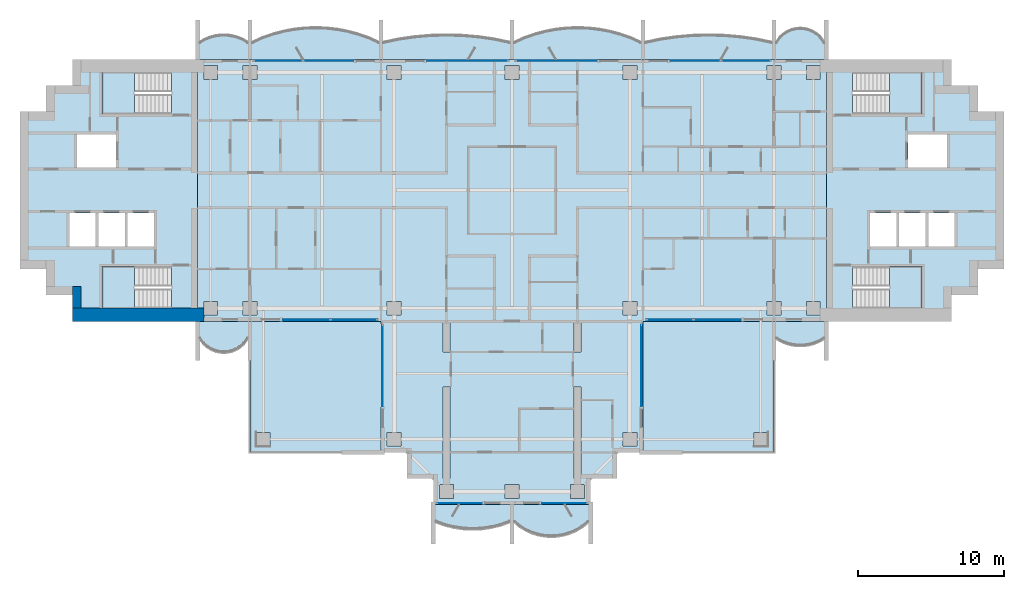
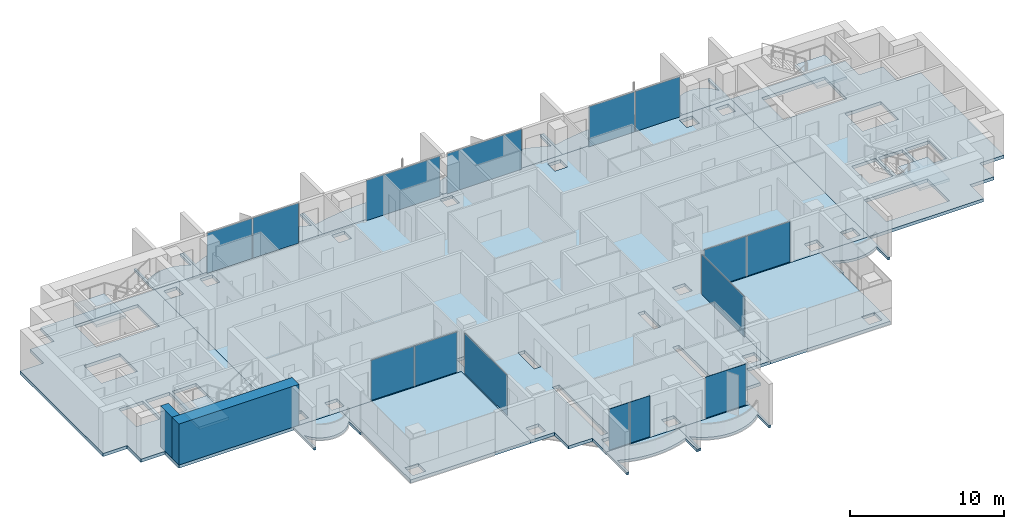
# One storey, part 7 of 18: 19 slabs, 14 plates, 2 walls, 14 elements without a shape of their own.
"""IFC4 building model written with IfcOpenShell, lengths in metres."""

from ifc_helpers import new_model, si_unit, direction, frame, frame_2d, origin, origin_2d, place, context, subcontext, project, spatial, polyline, rectangle, outline, extrude, material, layer, layer_set, type_object, element, aggregate, save


model = new_model("IFC4")

# Units and contexts
model_context = context("Model", 3, precision=1e-05, world=origin(), true_north=direction((0.0, 1.0)))
body_context = subcontext(model_context, "Body", "Model", "MODEL_VIEW")
ifc_project = project(units=[si_unit("LENGTHUNIT", "METRE"), si_unit("AREAUNIT", "SQUARE_METRE"), si_unit("VOLUMEUNIT", "CUBIC_METRE"), si_unit("PLANEANGLEUNIT", "RADIAN"), si_unit("MASSUNIT", "GRAM", prefix="KILO")], contexts=[model_context])

# Site, building, storey
site_placement = place(None, origin())
site = spatial("IfcSite", under=ifc_project, at=site_placement, CompositionType="ELEMENT")
building_placement = place(site_placement, origin())
building = spatial("IfcBuilding", under=site, at=building_placement, Name="Perihelion Cross Residences", CompositionType="ELEMENT")
storey_placement = place(building_placement, frame((0.0, 0.0, 173.60009765625)))
storey = spatial("IfcBuildingStorey", under=building, at=storey_placement, Name="L42", CompositionType="ELEMENT", Elevation=173.60009765625)

# Slabs
ifc_material_1 = material(Name="Concrete C40/50", Category="concrete")
ifc_layer_1 = layer(ifc_material_1, 0.199951171875)
ifc_layer_set_1 = layer_set([ifc_layer_1], Name="Balcony slab 200")
slab_type_1 = type_object("IfcSlabType", Name="Balcony slab 200", PredefinedType="FLOOR", material=ifc_layer_set_1)
slab_1_placement = place(storey_placement, frame((0.0, 0.0, -0.2001953125)))
element("IfcSlab", 1, at=slab_1_placement, inside=storey, type_object=slab_type_1, Name="Slab BK1 L42 east side north bay 1 balcony", PredefinedType="FLOOR", context=body_context, shape_type="SweptSolid", body=[
    extrude(outline(polyline([(21.60009765625, 9.0), (18.0, 9.0), (18.0, 11.699951171875), (18.14990234375, 11.699951171875), (18.14990234375, 10.199951171875), (18.425048828125, 10.568603515625), (18.699951171875, 10.806396484375), (18.97509765625, 10.96875), (19.25, 11.07568359375), (19.52490234375, 11.136962890625), (19.800048828125, 11.156982421875), (20.074951171875, 11.136962890625), (20.35009765625, 11.07568359375), (20.625, 10.96875), (20.89990234375, 10.806396484375), (21.175048828125, 10.568603515625), (21.449951171875, 10.199951171875), (21.449951171875, 11.699951171875), (21.60009765625, 11.699951171875), (21.60009765625, 9.0)])), origin(), (0.0, 0.0, 1.0), 0.2001953125),
])
slab_2_placement = place(storey_placement, frame((0.0, 0.0, -0.2001953125)))
element("IfcSlab", 2, at=slab_2_placement, inside=storey, type_object=slab_type_1, Name="Slab BK1 L42 east side north bay 2 balcony", PredefinedType="FLOOR", context=body_context, shape_type="SweptSolid", body=[
    extrude(outline(polyline([(18.0, 9.0), (9.0, 9.0), (9.0, 11.699951171875), (9.14990234375, 11.699951171875), (9.14990234375, 10.199951171875), (10.237548828125, 10.42041015625), (11.324951171875, 10.576171875), (12.41259765625, 10.669189453125), (13.5, 10.699951171875), (14.58740234375, 10.669189453125), (15.675048828125, 10.576171875), (16.762451171875, 10.42041015625), (17.85009765625, 10.199951171875), (17.85009765625, 11.699951171875), (18.0, 11.699951171875), (18.0, 9.0)])), origin(), (0.0, 0.0, 1.0), 0.2001953125),
])
slab_3_placement = place(storey_placement, frame((0.0, 0.0, -0.2001953125)))
element("IfcSlab", 3, at=slab_3_placement, inside=storey, type_object=slab_type_1, Name="Slab BK1 L42 north side east bay 1 balcony", PredefinedType="FLOOR", context=body_context, shape_type="SweptSolid", body=[
    extrude(outline(polyline([(9.0, 9.0), (0.0, 9.0), (0.0, 11.699951171875), (0.14990234375, 11.699951171875), (0.14990234375, 10.199951171875), (0.875, 10.51708984375), (1.60009765625, 10.7685546875), (2.324951171875, 10.959716796875), (3.050048828125, 11.093994140625), (3.77490234375, 11.173583984375), (4.5, 11.199951171875), (5.22509765625, 11.173583984375), (5.949951171875, 11.093994140625), (6.675048828125, 10.959716796875), (7.39990234375, 10.7685546875), (8.125, 10.51708984375), (8.85009765625, 10.199951171875), (8.85009765625, 11.699951171875), (9.0, 11.699951171875), (9.0, 9.0)])), origin(), (0.0, 0.0, 1.0), 0.2001953125),
])
slab_4_placement = place(storey_placement, frame((0.0, 0.0, -0.2001953125)))
element("IfcSlab", 4, at=slab_4_placement, inside=storey, type_object=slab_type_1, Name="Slab BK1 L42 north side east bay 2 balcony", PredefinedType="FLOOR", context=body_context, shape_type="SweptSolid", body=[
    extrude(outline(polyline([(0.0, 9.0), (-9.0, 9.0), (-9.0, 11.699951171875), (-8.85009765625, 11.699951171875), (-8.85009765625, 10.199951171875), (-7.762451171875, 10.42041015625), (-6.675048828125, 10.576171875), (-5.58740234375, 10.669189453125), (-4.5, 10.699951171875), (-3.41259765625, 10.669189453125), (-2.324951171875, 10.576171875), (-1.237548828125, 10.42041015625), (-0.14990234375, 10.199951171875), (-0.14990234375, 11.699951171875), (0.0, 11.699951171875), (0.0, 9.0)])), origin(), (0.0, 0.0, 1.0), 0.2001953125),
])
slab_5_placement = place(storey_placement, frame((0.0, 0.0, -0.2001953125)))
element("IfcSlab", 5, at=slab_5_placement, inside=storey, type_object=slab_type_1, Name="Slab BK1 L42 west side north bay 1 balcony", PredefinedType="FLOOR", context=body_context, shape_type="SweptSolid", body=[
    extrude(outline(polyline([(-9.0, 9.0), (-18.0, 9.0), (-18.0, 11.699951171875), (-17.85009765625, 11.699951171875), (-17.85009765625, 10.199951171875), (-17.125, 10.51708984375), (-16.39990234375, 10.7685546875), (-15.675048828125, 10.959716796875), (-14.949951171875, 11.093994140625), (-14.22509765625, 11.173583984375), (-13.5, 11.199951171875), (-12.77490234375, 11.173583984375), (-12.050048828125, 11.093994140625), (-11.324951171875, 10.959716796875), (-10.60009765625, 10.7685546875), (-9.875, 10.51708984375), (-9.14990234375, 10.199951171875), (-9.14990234375, 11.699951171875), (-9.0, 11.699951171875), (-9.0, 9.0)])), origin(), (0.0, 0.0, 1.0), 0.2001953125),
])
slab_6_placement = place(storey_placement, frame((0.0, 0.0, -0.2001953125)))
element("IfcSlab", 6, at=slab_6_placement, inside=storey, type_object=slab_type_1, Name="Slab BK1 L42 west side north bay 2 balcony", PredefinedType="FLOOR", context=body_context, shape_type="SweptSolid", body=[
    extrude(outline(polyline([(-18.0, 9.0), (-21.60009765625, 9.0), (-21.60009765625, 11.699951171875), (-21.449951171875, 11.699951171875), (-21.449951171875, 10.199951171875), (-21.083251953125, 10.40869140625), (-20.716552734375, 10.55517578125), (-20.35009765625, 10.648681640625), (-19.9833984375, 10.6943359375), (-19.61669921875, 10.6943359375), (-19.25, 10.648681640625), (-18.88330078125, 10.55517578125), (-18.5166015625, 10.40869140625), (-18.14990234375, 10.199951171875), (-18.14990234375, 11.699951171875), (-18.0, 11.699951171875), (-18.0, 9.0)])), origin(), (0.0, 0.0, 1.0), 0.2001953125),
])
slab_7_placement = place(storey_placement, frame((0.0, 0.0, -0.2001953125)))
element("IfcSlab", 7, at=slab_7_placement, inside=storey, type_object=slab_type_1, Name="Slab BK1 L42 west side south bay 1 balcony", PredefinedType="FLOOR", context=body_context, shape_type="SweptSolid", body=[
    extrude(outline(polyline([(-21.60009765625, -9.0), (-18.0, -9.0), (-18.0, -11.699951171875), (-18.14990234375, -11.699951171875), (-18.14990234375, -10.199951171875), (-18.425048828125, -10.568603515625), (-18.699951171875, -10.806396484375), (-18.97509765625, -10.96875), (-19.25, -11.07568359375), (-19.52490234375, -11.136962890625), (-19.800048828125, -11.156982421875), (-20.074951171875, -11.136962890625), (-20.35009765625, -11.07568359375), (-20.625, -10.96875), (-20.89990234375, -10.806396484375), (-21.175048828125, -10.568603515625), (-21.449951171875, -10.199951171875), (-21.449951171875, -11.699951171875), (-21.60009765625, -11.699951171875), (-21.60009765625, -9.0)])), origin(), (0.0, 0.0, 1.0), 0.2001953125),
])
slab_8_placement = place(storey_placement, frame((0.0, 0.0, -0.2001953125)))
element("IfcSlab", 8, at=slab_8_placement, inside=storey, type_object=slab_type_1, Name="Slab BK1 L42 south tip south bay 1 balcony", PredefinedType="FLOOR", context=body_context, shape_type="SweptSolid", body=[
    extrude(outline(polyline([(-5.39990234375, -21.60009765625), (0.0, -21.60009765625), (0.0, -24.300048828125), (-0.14990234375, -24.300048828125), (-0.14990234375, -22.800048828125), (-0.78759765625, -23.0234375), (-1.425048828125, -23.178466796875), (-2.0625, -23.269775390625), (-2.699951171875, -23.300048828125), (-3.33740234375, -23.269775390625), (-3.97509765625, -23.178466796875), (-4.612548828125, -23.0234375), (-5.25, -22.800048828125), (-5.25, -24.300048828125), (-5.39990234375, -24.300048828125), (-5.39990234375, -21.60009765625)])), origin(), (0.0, 0.0, 1.0), 0.2001953125),
])
slab_9_placement = place(storey_placement, frame((0.0, 0.0, -0.2001953125)))
element("IfcSlab", 9, at=slab_9_placement, inside=storey, type_object=slab_type_1, Name="Slab BK1 L42 south tip south bay 2 balcony", PredefinedType="FLOOR", context=body_context, shape_type="SweptSolid", body=[
    extrude(outline(polyline([(0.0, -21.60009765625), (5.39990234375, -21.60009765625), (5.39990234375, -24.300048828125), (5.25, -24.300048828125), (5.25, -22.800048828125), (4.824951171875, -23.14013671875), (4.39990234375, -23.392578125), (3.97509765625, -23.57666015625), (3.550048828125, -23.702392578125), (3.125, -23.77587890625), (2.699951171875, -23.800048828125), (2.27490234375, -23.77587890625), (1.85009765625, -23.702392578125), (1.425048828125, -23.57666015625), (1.0, -23.392578125), (0.574951171875, -23.14013671875), (0.14990234375, -22.800048828125), (0.14990234375, -24.300048828125), (0.0, -24.300048828125), (0.0, -21.60009765625)])), origin(), (0.0, 0.0, 1.0), 0.2001953125),
])
slab_10_placement = place(storey_placement, frame((0.0, 0.0, -0.2001953125)))
element("IfcSlab", 10, at=slab_10_placement, inside=storey, type_object=slab_type_1, Name="Slab BK1 L42 east side south bay 2 balcony", PredefinedType="FLOOR", context=body_context, shape_type="SweptSolid", body=[
    extrude(outline(polyline([(18.0, -9.0), (21.60009765625, -9.0), (21.60009765625, -11.699951171875), (21.449951171875, -11.699951171875), (21.449951171875, -10.199951171875), (21.083251953125, -10.40869140625), (20.716552734375, -10.55517578125), (20.35009765625, -10.648681640625), (19.9833984375, -10.6943359375), (19.61669921875, -10.6943359375), (19.25, -10.648681640625), (18.88330078125, -10.55517578125), (18.5166015625, -10.40869140625), (18.14990234375, -10.199951171875), (18.14990234375, -11.699951171875), (18.0, -11.699951171875), (18.0, -9.0)])), origin(), (0.0, 0.0, 1.0), 0.2001953125),
])

# Curtain wall, plates
ifc_material_2 = material(Name="Bronze anodised aluminium, tinted glazing", Category="aluminium")
curtain_wall_type = type_object("IfcCurtainWallType", Name="CW1", PredefinedType="NOTDEFINED", material=ifc_material_2)
curtain_wall_1_placement = place(storey_placement, origin())
curtain_wall_1 = element("IfcCurtainWall", 11, at=curtain_wall_1_placement, inside=storey, type_object=curtain_wall_type, Name="Curtain wall CW1 L42 east side north bay 2", PredefinedType="NOTDEFINED")
ifc_material_3 = material(Name="Tinted laminated glass", Category="glass")
ifc_layer_2 = layer(ifc_material_3, 0.028076171875)
ifc_layer_set_2 = layer_set([ifc_layer_2], Name="CW1 panel")
plate_type = type_object("IfcPlateType", Name="CW1 panel", PredefinedType="CURTAIN_PANEL", material=ifc_layer_set_2)
plate_1_placement = place(storey_placement, frame((16.06005859375, 8.89990234375, 0.0), z_axis=(0.0, 0.0, 1.0), x_axis=(-1.0, 0.0, 0.0)))
plate_1 = element("IfcPlate", 12, at=plate_1_placement, type_object=plate_type, Name="CW1 panel 1", PredefinedType="CURTAIN_PANEL", context=body_context, shape_type="SweptSolid", body=[
    extrude(rectangle(XDim=3.360107421875, YDim=0.028076171875, at=origin_2d()), origin(), (0.0, 0.0, 1.0), 3.18994140625),
])
plate_2_placement = place(storey_placement, frame((12.610107421875, 8.89990234375, 0.0), z_axis=(0.0, 0.0, 1.0), x_axis=(-1.0, 0.0, 0.0)))
plate_2 = element("IfcPlate", 13, at=plate_2_placement, type_object=plate_type, Name="CW1 panel 2", PredefinedType="CURTAIN_PANEL", context=body_context, shape_type="SweptSolid", body=[
    extrude(rectangle(XDim=3.419921875, YDim=0.028076171875, at=origin_2d()), origin(), (0.0, 0.0, 1.0), 3.18994140625),
])
aggregate(curtain_wall_1, [plate_1, plate_2])

# Curtain wall, plate
curtain_wall_2_placement = place(storey_placement, origin())
curtain_wall_2 = element("IfcCurtainWall", 14, at=curtain_wall_2_placement, inside=storey, type_object=curtain_wall_type, Name="Curtain wall CW1 L42 north side east bay 1", PredefinedType="NOTDEFINED")
plate_3_placement = place(storey_placement, frame((3.04248046875, 8.89990234375, 0.0), z_axis=(0.0, 0.0, 1.0), x_axis=(-1.0, 0.0, 0.0)))
plate_3 = element("IfcPlate", 15, at=plate_3_placement, type_object=plate_type, Name="CW1 panel 1", PredefinedType="CURTAIN_PANEL", context=body_context, shape_type="SweptSolid", body=[
    extrude(rectangle(XDim=5.56494140625, YDim=0.028076171875, at=origin_2d()), origin(), (0.0, 0.0, 1.0), 3.18994140625),
])
aggregate(curtain_wall_2, [plate_3])

curtain_wall_3_placement = place(storey_placement, origin())
curtain_wall_3 = element("IfcCurtainWall", 16, at=curtain_wall_3_placement, inside=storey, type_object=curtain_wall_type, Name="Curtain wall CW1 L42 north side east bay 2", PredefinedType="NOTDEFINED")
plate_4_placement = place(storey_placement, frame((-3.04248046875, 8.89990234375, 0.0), z_axis=(0.0, 0.0, 1.0), x_axis=(-1.0, 0.0, 0.0)))
plate_4 = element("IfcPlate", 17, at=plate_4_placement, type_object=plate_type, Name="CW1 panel 1", PredefinedType="CURTAIN_PANEL", context=body_context, shape_type="SweptSolid", body=[
    extrude(rectangle(XDim=5.56494140625, YDim=0.028076171875, at=origin_2d()), origin(), (0.0, 0.0, 1.0), 3.18994140625),
])
aggregate(curtain_wall_3, [plate_4])

# Curtain wall, plates
curtain_wall_4_placement = place(storey_placement, origin())
curtain_wall_4 = element("IfcCurtainWall", 18, at=curtain_wall_4_placement, inside=storey, type_object=curtain_wall_type, Name="Curtain wall CW1 L42 west side north bay 1", PredefinedType="NOTDEFINED")
plate_5_placement = place(storey_placement, frame((-12.610107421875, 8.89990234375, 0.0), z_axis=(0.0, 0.0, 1.0), x_axis=(-1.0, 0.0, 0.0)))
plate_5 = element("IfcPlate", 19, at=plate_5_placement, type_object=plate_type, Name="CW1 panel 1", PredefinedType="CURTAIN_PANEL", context=body_context, shape_type="SweptSolid", body=[
    extrude(rectangle(XDim=3.419921875, YDim=0.028076171875, at=origin_2d()), origin(), (0.0, 0.0, 1.0), 3.18994140625),
])
plate_6_placement = place(storey_placement, frame((-16.06005859375, 8.89990234375, 0.0), z_axis=(0.0, 0.0, 1.0), x_axis=(-1.0, 0.0, 0.0)))
plate_6 = element("IfcPlate", 20, at=plate_6_placement, type_object=plate_type, Name="CW1 panel 2", PredefinedType="CURTAIN_PANEL", context=body_context, shape_type="SweptSolid", body=[
    extrude(rectangle(XDim=3.360107421875, YDim=0.028076171875, at=origin_2d()), origin(), (0.0, 0.0, 1.0), 3.18994140625),
])
aggregate(curtain_wall_4, [plate_5, plate_6])

curtain_wall_5_placement = place(storey_placement, origin())
curtain_wall_5 = element("IfcCurtainWall", 21, at=curtain_wall_5_placement, inside=storey, type_object=curtain_wall_type, Name="Curtain wall CW1 L42 west side south bay 2", PredefinedType="NOTDEFINED")
plate_7_placement = place(storey_placement, frame((-14.108642578125, -8.89990234375, 0.0), z_axis=(0.0, 0.0, 1.0), x_axis=(1.0, 0.0, 0.0)))
plate_7 = element("IfcPlate", 22, at=plate_7_placement, type_object=plate_type, Name="CW1 panel 1", PredefinedType="CURTAIN_PANEL", context=body_context, shape_type="SweptSolid", body=[
    extrude(rectangle(XDim=3.232421875, YDim=0.028076171875, at=origin_2d()), origin(), (0.0, 0.0, 1.0), 3.18994140625),
])
plate_8_placement = place(storey_placement, frame((-10.84619140625, -8.89990234375, 0.0), z_axis=(0.0, 0.0, 1.0), x_axis=(1.0, 0.0, 0.0)))
plate_8 = element("IfcPlate", 23, at=plate_8_placement, type_object=plate_type, Name="CW1 panel 2", PredefinedType="CURTAIN_PANEL", context=body_context, shape_type="SweptSolid", body=[
    extrude(rectangle(XDim=3.172607421875, YDim=0.028076171875, at=origin_2d()), origin(), (0.0, 0.0, 1.0), 3.18994140625),
])
aggregate(curtain_wall_5, [plate_7, plate_8])

# Curtain wall, plate
curtain_wall_6_placement = place(storey_placement, origin())
curtain_wall_6 = element("IfcCurtainWall", 24, at=curtain_wall_6_placement, inside=storey, type_object=curtain_wall_type, Name="Curtain wall CW1 L42 south side west bay 1", PredefinedType="NOTDEFINED")
plate_9_placement = place(storey_placement, frame((-8.89990234375, -12.04248046875, 0.0), z_axis=(0.0, 0.0, 1.0), x_axis=(0.0, -1.0, 0.0)))
plate_9 = element("IfcPlate", 25, at=plate_9_placement, type_object=plate_type, Name="CW1 panel 1", PredefinedType="CURTAIN_PANEL", context=body_context, shape_type="SweptSolid", body=[
    extrude(rectangle(XDim=5.56494140625, YDim=0.028076171875, at=origin_2d()), origin(), (0.0, 0.0, 1.0), 3.18994140625),
])
aggregate(curtain_wall_6, [plate_9])

curtain_wall_7_placement = place(storey_placement, origin())
curtain_wall_7 = element("IfcCurtainWall", 26, at=curtain_wall_7_placement, inside=storey, type_object=curtain_wall_type, Name="Curtain wall CW1 L42 south tip south bay 1", PredefinedType="NOTDEFINED")
plate_10_placement = place(storey_placement, frame((-3.607421875, -21.5, 0.0), z_axis=(0.0, 0.0, 1.0), x_axis=(1.0, 0.0, 0.0)))
plate_10 = element("IfcPlate", 27, at=plate_10_placement, type_object=plate_type, Name="CW1 panel 1", PredefinedType="CURTAIN_PANEL", context=body_context, shape_type="SweptSolid", body=[
    extrude(rectangle(XDim=3.06494140625, YDim=0.028076171875, at=origin_2d()), origin(), (0.0, 0.0, 1.0), 3.25),
])
aggregate(curtain_wall_7, [plate_10])

curtain_wall_8_placement = place(storey_placement, origin())
curtain_wall_8 = element("IfcCurtainWall", 28, at=curtain_wall_8_placement, inside=storey, type_object=curtain_wall_type, Name="Curtain wall CW1 L42 south tip south bay 2", PredefinedType="NOTDEFINED")
plate_11_placement = place(storey_placement, frame((3.607421875, -21.5, 0.0), z_axis=(0.0, 0.0, 1.0), x_axis=(1.0, 0.0, 0.0)))
plate_11 = element("IfcPlate", 29, at=plate_11_placement, type_object=plate_type, Name="CW1 panel 1", PredefinedType="CURTAIN_PANEL", context=body_context, shape_type="SweptSolid", body=[
    extrude(rectangle(XDim=3.06494140625, YDim=0.028076171875, at=origin_2d()), origin(), (0.0, 0.0, 1.0), 3.25),
])
aggregate(curtain_wall_8, [plate_11])

curtain_wall_9_placement = place(storey_placement, origin())
curtain_wall_9 = element("IfcCurtainWall", 30, at=curtain_wall_9_placement, inside=storey, type_object=curtain_wall_type, Name="Curtain wall CW1 L42 south side east bay 1", PredefinedType="NOTDEFINED")
plate_12_placement = place(storey_placement, frame((8.89990234375, -12.04248046875, 0.0), z_axis=(0.0, 0.0, 1.0), x_axis=(0.0, 1.0, 0.0)))
plate_12 = element("IfcPlate", 31, at=plate_12_placement, type_object=plate_type, Name="CW1 panel 1", PredefinedType="CURTAIN_PANEL", context=body_context, shape_type="SweptSolid", body=[
    extrude(rectangle(XDim=5.56494140625, YDim=0.028076171875, at=origin_2d()), origin(), (0.0, 0.0, 1.0), 3.18994140625),
])
aggregate(curtain_wall_9, [plate_12])

# Curtain wall, plates
curtain_wall_10_placement = place(storey_placement, origin())
curtain_wall_10 = element("IfcCurtainWall", 32, at=curtain_wall_10_placement, inside=storey, type_object=curtain_wall_type, Name="Curtain wall CW1 L42 east side south bay 1", PredefinedType="NOTDEFINED")
plate_13_placement = place(storey_placement, frame((10.84619140625, -8.89990234375, 0.0), z_axis=(0.0, 0.0, 1.0), x_axis=(1.0, 0.0, 0.0)))
plate_13 = element("IfcPlate", 33, at=plate_13_placement, type_object=plate_type, Name="CW1 panel 1", PredefinedType="CURTAIN_PANEL", context=body_context, shape_type="SweptSolid", body=[
    extrude(rectangle(XDim=3.172607421875, YDim=0.028076171875, at=origin_2d()), origin(), (0.0, 0.0, 1.0), 3.18994140625),
])
plate_14_placement = place(storey_placement, frame((14.108642578125, -8.89990234375, 0.0), z_axis=(0.0, 0.0, 1.0), x_axis=(1.0, 0.0, 0.0)))
plate_14 = element("IfcPlate", 34, at=plate_14_placement, type_object=plate_type, Name="CW1 panel 2", PredefinedType="CURTAIN_PANEL", context=body_context, shape_type="SweptSolid", body=[
    extrude(rectangle(XDim=3.232421875, YDim=0.028076171875, at=origin_2d()), origin(), (0.0, 0.0, 1.0), 3.18994140625),
])
aggregate(curtain_wall_10, [plate_13, plate_14])

# Slabs
ifc_material_4 = material(Name="Concrete C40/50", Category="concrete")
ifc_layer_3 = layer(ifc_material_4, 0.25)
ifc_layer_set_3 = layer_set([ifc_layer_3], Name="Core floor slab 250")
slab_type_2 = type_object("IfcSlabType", Name="Core floor slab 250", PredefinedType="FLOOR", material=ifc_layer_set_3)
slab_11_placement = place(storey_placement, frame((0.0, 0.0, -0.25)))
element("IfcSlab", 35, at=slab_11_placement, inside=storey, type_object=slab_type_2, Name="East core floor slab", PredefinedType="FLOOR", context=body_context, shape_type="SweptSolid", body=[
    extrude(outline(polyline([(30.199951171875, 7.199951171875), (32.0, 7.199951171875), (32.0, 5.39990234375), (33.800048828125, 5.39990234375), (33.800048828125, -5.39990234375), (32.0, -5.39990234375), (32.0, -7.199951171875), (30.199951171875, -7.199951171875), (30.199951171875, -9.0), (21.60009765625, -9.0), (21.60009765625, 9.0), (30.199951171875, 9.0), (30.199951171875, 7.199951171875)]), holes=[polyline([(28.14990234375, -8.10009765625), (28.14990234375, -5.25), (23.405029296875, -5.25), (23.405029296875, -8.10009765625), (28.14990234375, -8.10009765625)]), polyline([(24.60009765625, -1.550048828125), (24.60009765625, -3.85009765625), (26.39990234375, -3.85009765625), (26.39990234375, -1.550048828125), (24.60009765625, -1.550048828125)]), polyline([(26.60009765625, -1.550048828125), (26.60009765625, -3.85009765625), (28.39990234375, -3.85009765625), (28.39990234375, -1.550048828125), (26.60009765625, -1.550048828125)]), polyline([(28.60009765625, -3.85009765625), (30.39990234375, -3.85009765625), (30.39990234375, -1.550048828125), (28.60009765625, -1.550048828125), (28.60009765625, -3.85009765625)]), polyline([(27.199951171875, 3.85009765625), (27.199951171875, 1.550048828125), (29.89990234375, 1.550048828125), (29.89990234375, 3.85009765625), (27.199951171875, 3.85009765625)]), polyline([(23.405029296875, 5.25), (28.14990234375, 5.25), (28.14990234375, 8.10009765625), (23.405029296875, 8.10009765625), (23.405029296875, 5.25)])]), origin(), (0.0, 0.0, 1.0), 0.25),
])
slab_12_placement = place(storey_placement, frame((0.0, 0.0, -0.25)))
element("IfcSlab", 36, at=slab_12_placement, inside=storey, type_object=slab_type_2, Name="West core floor slab", PredefinedType="FLOOR", context=body_context, shape_type="SweptSolid", body=[
    extrude(outline(polyline([(-30.199951171875, 7.199951171875), (-32.0, 7.199951171875), (-32.0, 5.39990234375), (-33.800048828125, 5.39990234375), (-33.800048828125, -5.39990234375), (-32.0, -5.39990234375), (-32.0, -7.199951171875), (-30.199951171875, -7.199951171875), (-30.199951171875, -9.0), (-21.60009765625, -9.0), (-21.60009765625, 9.0), (-30.199951171875, 9.0), (-30.199951171875, 7.199951171875)]), holes=[polyline([(-28.14990234375, -8.10009765625), (-28.14990234375, -5.25), (-23.405029296875, -5.25), (-23.405029296875, -8.10009765625), (-28.14990234375, -8.10009765625)]), polyline([(-24.60009765625, -1.550048828125), (-24.60009765625, -3.85009765625), (-26.39990234375, -3.85009765625), (-26.39990234375, -1.550048828125), (-24.60009765625, -1.550048828125)]), polyline([(-26.60009765625, -1.550048828125), (-26.60009765625, -3.85009765625), (-28.39990234375, -3.85009765625), (-28.39990234375, -1.550048828125), (-26.60009765625, -1.550048828125)]), polyline([(-28.60009765625, -3.85009765625), (-30.39990234375, -3.85009765625), (-30.39990234375, -1.550048828125), (-28.60009765625, -1.550048828125), (-28.60009765625, -3.85009765625)]), polyline([(-27.199951171875, 3.85009765625), (-27.199951171875, 1.550048828125), (-29.89990234375, 1.550048828125), (-29.89990234375, 3.85009765625), (-27.199951171875, 3.85009765625)]), polyline([(-23.405029296875, 5.25), (-28.14990234375, 5.25), (-28.14990234375, 8.10009765625), (-23.405029296875, 8.10009765625), (-23.405029296875, 5.25)])]), origin(), (0.0, 0.0, 1.0), 0.25),
])
ifc_material_5 = material(Name="Concrete C40/50", Category="concrete")
ifc_layer_4 = layer(ifc_material_5, 0.25)
ifc_layer_set_4 = layer_set([ifc_layer_4], Name="Corner terrace slab")
slab_type_3 = type_object("IfcSlabType", Name="Corner terrace slab", PredefinedType="FLOOR", material=ifc_layer_set_4)
slab_13_placement = place(storey_placement, frame((0.0, 0.0, -0.25)))
element("IfcSlab", 37, at=slab_13_placement, inside=storey, type_object=slab_type_3, Name="Slab BK2 L42 pocket south-west", PredefinedType="FLOOR", context=body_context, shape_type="SweptSolid", body=[
    extrude(outline(polyline([(-9.0, -18.0), (-9.0, -9.0), (-18.0, -9.0), (-18.0, -18.0), (-9.0, -18.0)]), holes=[polyline([(-16.625, -17.614990234375), (-17.614990234375, -17.614990234375), (-17.614990234375, -16.5849609375), (-17.574951171875, -16.5849609375), (-17.574951171875, -16.625), (-16.625, -16.625), (-16.625, -17.614990234375)])]), origin(), (0.0, 0.0, 1.0), 0.25),
])
slab_14_placement = place(storey_placement, frame((0.0, 0.0, -0.25)))
element("IfcSlab", 38, at=slab_14_placement, inside=storey, type_object=slab_type_3, Name="Slab BK2 L42 pocket south-east", PredefinedType="FLOOR", context=body_context, shape_type="SweptSolid", body=[
    extrude(outline(polyline([(18.0, -18.0), (18.0, -9.0), (9.0, -9.0), (9.0, -18.0), (18.0, -18.0)]), holes=[polyline([(16.625, -17.614990234375), (16.625, -16.625), (17.574951171875, -16.625), (17.574951171875, -16.5849609375), (17.614990234375, -16.5849609375), (17.614990234375, -17.614990234375), (16.625, -17.614990234375)])]), origin(), (0.0, 0.0, 1.0), 0.25),
])

# Stair, slab
ifc_material_6 = material(Name="Concrete C40/50", Category="concrete")
stair_type = type_object("IfcStairType", Name="Exit stair, half-turn", PredefinedType="HALF_TURN_STAIR", material=ifc_material_6)
stair_1_placement = place(storey_placement, origin())
stair_1 = element("IfcStair", 39, at=stair_1_placement, inside=storey, type_object=stair_type, Name="L42 East core exit stair 1", PredefinedType="HALF_TURN_STAIR")
ifc_material_7 = material(Name="Concrete C40/50", Category="concrete")
ifc_layer_5 = layer(ifc_material_7, 0.199951171875)
ifc_layer_set_5 = layer_set([ifc_layer_5], Name="Exit stair landing 200")
slab_type_4 = type_object("IfcSlabType", Name="Exit stair landing 200", PredefinedType="LANDING", material=ifc_layer_set_5)
slab_15_placement = place(storey_placement, frame((0.0, 0.0, 1.5498046875)))
slab_15 = element("IfcSlab", 40, at=slab_15_placement, type_object=slab_type_4, Name="ST-E1 landing 1", PredefinedType="LANDING", context=body_context, shape_type="SweptSolid", body=[
    extrude(outline(polyline([(25.919921875, 5.25), (28.14990234375, 5.25), (28.14990234375, 8.10009765625), (25.919921875, 8.10009765625), (25.919921875, 5.25)])), origin(), (0.0, 0.0, 1.0), 0.2001953125),
])
aggregate(stair_1, [slab_15])

stair_2_placement = place(storey_placement, origin())
stair_2 = element("IfcStair", 41, at=stair_2_placement, inside=storey, type_object=stair_type, Name="L42 East core exit stair 2", PredefinedType="HALF_TURN_STAIR")
slab_16_placement = place(storey_placement, frame((0.0, 0.0, 1.5498046875)))
slab_16 = element("IfcSlab", 42, at=slab_16_placement, type_object=slab_type_4, Name="ST-E2 landing 1", PredefinedType="LANDING", context=body_context, shape_type="SweptSolid", body=[
    extrude(outline(polyline([(25.919921875, -8.10009765625), (28.14990234375, -8.10009765625), (28.14990234375, -5.25), (25.919921875, -5.25), (25.919921875, -8.10009765625)])), origin(), (0.0, 0.0, 1.0), 0.2001953125),
])
aggregate(stair_2, [slab_16])

stair_3_placement = place(storey_placement, origin())
stair_3 = element("IfcStair", 43, at=stair_3_placement, inside=storey, type_object=stair_type, Name="L42 West core exit stair 1", PredefinedType="HALF_TURN_STAIR")
slab_17_placement = place(storey_placement, frame((0.0, 0.0, 1.5498046875)))
slab_17 = element("IfcSlab", 44, at=slab_17_placement, type_object=slab_type_4, Name="ST-W1 landing 1", PredefinedType="LANDING", context=body_context, shape_type="SweptSolid", body=[
    extrude(outline(polyline([(-25.919921875, 8.10009765625), (-28.14990234375, 8.10009765625), (-28.14990234375, 5.25), (-25.919921875, 5.25), (-25.919921875, 8.10009765625)])), origin(), (0.0, 0.0, 1.0), 0.2001953125),
])
aggregate(stair_3, [slab_17])

stair_4_placement = place(storey_placement, origin())
stair_4 = element("IfcStair", 45, at=stair_4_placement, inside=storey, type_object=stair_type, Name="L42 West core exit stair 2", PredefinedType="HALF_TURN_STAIR")
slab_18_placement = place(storey_placement, frame((0.0, 0.0, 1.5498046875)))
slab_18 = element("IfcSlab", 46, at=slab_18_placement, type_object=slab_type_4, Name="ST-W2 landing 1", PredefinedType="LANDING", context=body_context, shape_type="SweptSolid", body=[
    extrude(outline(polyline([(-25.919921875, -5.25), (-28.14990234375, -5.25), (-28.14990234375, -8.10009765625), (-25.919921875, -8.10009765625), (-25.919921875, -5.25)])), origin(), (0.0, 0.0, 1.0), 0.2001953125),
])
aggregate(stair_4, [slab_18])

# Slab
ifc_material_8 = material(Name="Concrete C50/60", Category="concrete")
ifc_layer_6 = layer(ifc_material_8, 0.25)
ifc_layer_set_6 = layer_set([ifc_layer_6], Name="Residential floor post-tensioned slab concrete C50/60")
slab_type_5 = type_object("IfcSlabType", Name="Residential floor post-tensioned slab concrete C50/60", PredefinedType="FLOOR", material=ifc_layer_set_6)
slab_19_placement = place(storey_placement, frame((0.0, 0.0, -0.25)))
element("IfcSlab", 47, at=slab_19_placement, inside=storey, type_object=slab_type_5, Name="Slab SL8 L42 1 no. 1", PredefinedType="FLOOR", context=body_context, shape_type="SweptSolid", body=[
    extrude(outline(polyline([(-9.0, 9.0), (9.0, 9.0), (21.60009765625, 9.0), (21.60009765625, -9.0), (9.0, -9.0), (9.0, -18.0), (7.199951171875, -18.0), (7.199951171875, -19.800048828125), (5.39990234375, -19.800048828125), (5.39990234375, -21.60009765625), (-5.39990234375, -21.60009765625), (-5.39990234375, -19.800048828125), (-7.199951171875, -19.800048828125), (-7.199951171875, -18.0), (-9.0, -18.0), (-9.0, -9.0), (-21.60009765625, -9.0), (-21.60009765625, 9.0), (-9.0, 9.0)]), holes=[polyline([(-4.02490234375, -20.22509765625), (-4.97509765625, -20.22509765625), (-4.97509765625, -21.175048828125), (-4.02490234375, -21.175048828125), (-4.02490234375, -20.22509765625)]), polyline([(0.47509765625, -21.175048828125), (0.47509765625, -20.22509765625), (-0.47509765625, -20.22509765625), (-0.47509765625, -21.175048828125), (0.47509765625, -21.175048828125)]), polyline([(-7.625, -17.574951171875), (-7.625, -16.625), (-8.574951171875, -16.625), (-8.574951171875, -17.574951171875), (-7.625, -17.574951171875)]), polyline([(-4.25, -13.5), (-4.75, -13.5), (-4.75, -19.800048828125), (-4.25, -19.800048828125), (-4.25, -13.5)]), polyline([(-4.25, -11.10009765625), (-4.25, -9.0), (-4.75, -9.0), (-4.75, -11.10009765625), (-4.25, -11.10009765625)]), polyline([(-20.22509765625, -8.574951171875), (-20.22509765625, -7.625), (-21.175048828125, -7.625), (-21.175048828125, -8.574951171875), (-20.22509765625, -8.574951171875)]), polyline([(-17.52490234375, -7.625), (-18.47509765625, -7.625), (-18.47509765625, -8.574951171875), (-17.52490234375, -8.574951171875), (-17.52490234375, -7.625)]), polyline([(-7.625, -8.574951171875), (-7.625, -7.625), (-8.574951171875, -7.625), (-8.574951171875, -8.574951171875), (-7.625, -8.574951171875)]), polyline([(-20.22509765625, 8.574951171875), (-21.175048828125, 8.574951171875), (-21.175048828125, 7.625), (-20.22509765625, 7.625), (-20.22509765625, 8.574951171875)]), polyline([(-17.52490234375, 7.625), (-17.52490234375, 8.574951171875), (-18.47509765625, 8.574951171875), (-18.47509765625, 7.625), (-17.52490234375, 7.625)]), polyline([(-7.625, 7.625), (-7.625, 8.574951171875), (-8.574951171875, 8.574951171875), (-8.574951171875, 7.625), (-7.625, 7.625)]), polyline([(4.97509765625, -20.22509765625), (4.02490234375, -20.22509765625), (4.02490234375, -21.175048828125), (4.97509765625, -21.175048828125), (4.97509765625, -20.22509765625)]), polyline([(8.574951171875, -17.574951171875), (8.574951171875, -16.625), (7.625, -16.625), (7.625, -17.574951171875), (8.574951171875, -17.574951171875)]), polyline([(4.75, -19.800048828125), (4.75, -13.5), (4.25, -13.5), (4.25, -19.800048828125), (4.75, -19.800048828125)]), polyline([(4.75, -9.0), (4.25, -9.0), (4.25, -11.10009765625), (4.75, -11.10009765625), (4.75, -9.0)]), polyline([(8.574951171875, -8.574951171875), (8.574951171875, -7.625), (7.625, -7.625), (7.625, -8.574951171875), (8.574951171875, -8.574951171875)]), polyline([(18.47509765625, -8.574951171875), (18.47509765625, -7.625), (17.52490234375, -7.625), (17.52490234375, -8.574951171875), (18.47509765625, -8.574951171875)]), polyline([(21.175048828125, -7.625), (20.22509765625, -7.625), (20.22509765625, -8.574951171875), (21.175048828125, -8.574951171875), (21.175048828125, -7.625)]), polyline([(0.47509765625, 7.625), (0.47509765625, 8.574951171875), (-0.47509765625, 8.574951171875), (-0.47509765625, 7.625), (0.47509765625, 7.625)]), polyline([(8.574951171875, 8.574951171875), (7.625, 8.574951171875), (7.625, 7.625), (8.574951171875, 7.625), (8.574951171875, 8.574951171875)]), polyline([(18.47509765625, 7.625), (18.47509765625, 8.574951171875), (17.52490234375, 8.574951171875), (17.52490234375, 7.625), (18.47509765625, 7.625)]), polyline([(21.175048828125, 7.625), (21.175048828125, 8.574951171875), (20.22509765625, 8.574951171875), (20.22509765625, 7.625), (21.175048828125, 7.625)])]), origin(), (0.0, 0.0, 1.0), 0.25),
])

# Walls
ifc_material_9 = material(Name="Concrete C60/75", Category="concrete")
ifc_layer_7 = layer(ifc_material_9, 0.60009765625)
ifc_layer_set_7 = layer_set([ifc_layer_7], Name="Core wall, outer 600")
wall_type_1 = type_object("IfcWallType", Name="Core wall, outer 600", PredefinedType="SHEAR", material=ifc_layer_set_7)
wall_1_placement = place(storey_placement, frame((-29.89990234375, -8.10009765625, 0.0), z_axis=(0.0, 0.0, 1.0), x_axis=(0.0, 1.0, 0.0)))
element("IfcWall", 48, at=wall_1_placement, inside=storey, type_object=wall_type_1, Name="West core core wall, outer", PredefinedType="SHEAR", context=body_context, shape_type="SweptSolid", body=[
    extrude(rectangle(XDim=1.5, YDim=0.60009765625, at=frame_2d((0.75, 0.0))), origin(), (0.0, 0.0, 1.0), 3.25),
])
ifc_material_10 = material(Name="Concrete C60/75", Category="concrete")
ifc_layer_8 = layer(ifc_material_10, 0.89990234375)
ifc_layer_set_8 = layer_set([ifc_layer_8], Name="Core wall, outer 900")
wall_type_2 = type_object("IfcWallType", Name="Core wall, outer 900", PredefinedType="SHEAR", material=ifc_layer_set_8)
wall_2_placement = place(storey_placement, frame((-30.199951171875, -8.550048828125, 0.0), z_axis=(0.0, 0.0, 1.0), x_axis=(1.0, 0.0, 0.0)))
element("IfcWall", 49, at=wall_2_placement, inside=storey, type_object=wall_type_2, Name="West core core wall, outer", PredefinedType="SHEAR", context=body_context, shape_type="SweptSolid", body=[
    extrude(rectangle(XDim=9.02490234375, YDim=0.89990234375, at=frame_2d((4.512451171875, 0.0))), origin(), (0.0, 0.0, 1.0), 3.25),
])

save(model, "model.ifc")
